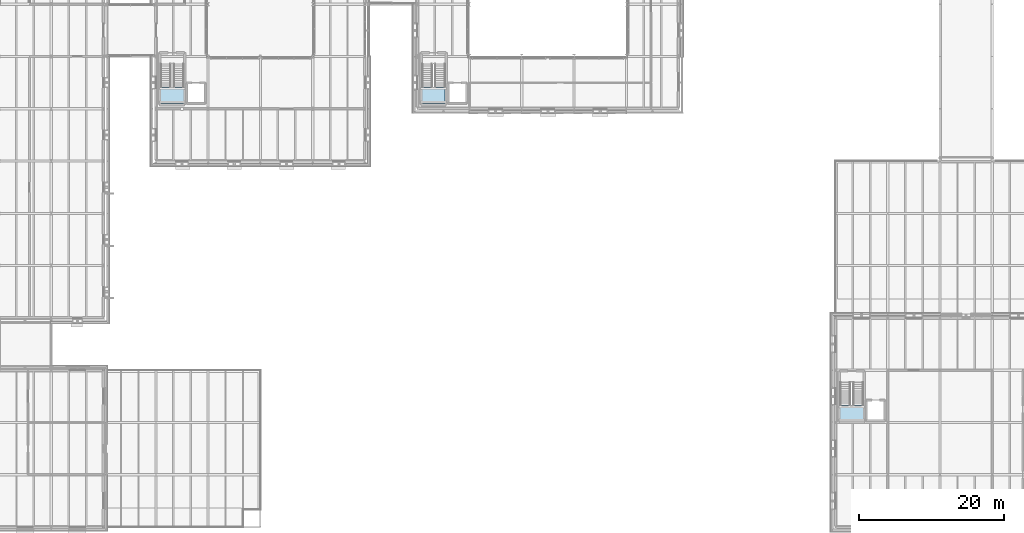
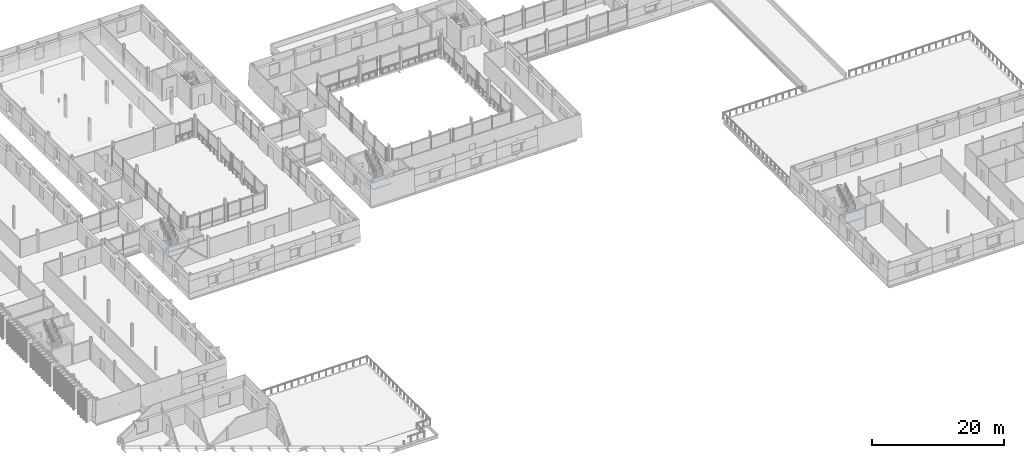
# One storey, part 48 of 115: 3 slabs, 3 elements without a shape of their own.
"""IFC4 building model written with IfcOpenShell, lengths in metres."""

from ifc_helpers import new_model, si_unit, direction, frame, origin, place, context, subcontext, project, spatial, polyline, outline, extrude, material, layer, layer_set, type_object, element, aggregate, save


model = new_model("IFC4")

# Units and contexts
model_context = context("Model", 3, precision=1e-05, world=origin(), true_north=direction((0.0, 1.0)))
body_context = subcontext(model_context, "Body", "Model", "MODEL_VIEW")
ifc_project = project(units=[si_unit("LENGTHUNIT", "METRE"), si_unit("AREAUNIT", "SQUARE_METRE"), si_unit("VOLUMEUNIT", "CUBIC_METRE"), si_unit("PLANEANGLEUNIT", "RADIAN"), si_unit("MASSUNIT", "GRAM", prefix="KILO")], contexts=[model_context])

# Site, building, storey
site_placement = place(None, origin())
site = spatial("IfcSite", under=ifc_project, at=site_placement, CompositionType="ELEMENT")
building_placement = place(site_placement, origin())
building = spatial("IfcBuilding", under=site, at=building_placement, Name="Narikvali Park Central Library", CompositionType="ELEMENT")
storey_placement = place(building_placement, frame((0.0, 0.0, 10.199951171875)))
storey = spatial("IfcBuildingStorey", under=building, at=storey_placement, Name="L02", CompositionType="ELEMENT", Elevation=10.199951171875)

# Stair, slab
ifc_material = material(Name="Concrete C35/45", Category="concrete")
stair_type = type_object("IfcStairType", Name="Core Enclosed Two-Flight Exit Stair", PredefinedType="HALF_TURN_STAIR", material=ifc_material)
stair_1_placement = place(storey_placement, origin())
stair_1 = element("IfcStair", 1, at=stair_1_placement, inside=storey, type_object=stair_type, Name="L02 Exit Stair ST-01", PredefinedType="HALF_TURN_STAIR")
ifc_layer = layer(ifc_material, 0.199951171875, Name="Concrete C35/45")
ifc_layer_set = layer_set([ifc_layer], Name="Concrete C35/45")
slab_type = type_object("IfcSlabType", Name="Stair Half-Landing Concrete Slab 200", PredefinedType="LANDING", material=ifc_layer_set)
slab_1_placement = place(storey_placement, frame((0.0, 0.0, 1.900146484375)))
slab_1 = element("IfcSlab", 2, at=slab_1_placement, type_object=slab_type, Name="ST-01 landing 1", PredefinedType="LANDING", context=body_context, shape_type="SweptSolid", body=[
    extrude(outline(polyline([(65.449951171875, 60.614990234375), (65.449951171875, 58.300048828125), (68.64990234375, 58.300048828125), (68.64990234375, 60.614990234375), (65.449951171875, 60.614990234375)])), origin(), (0.0, 0.0, 1.0), 0.199951171875),
])
aggregate(stair_1, [slab_1])

stair_2_placement = place(storey_placement, origin())
stair_2 = element("IfcStair", 3, at=stair_2_placement, inside=storey, type_object=stair_type, Name="L02 Exit Stair ST-07", PredefinedType="HALF_TURN_STAIR")
slab_2_placement = place(storey_placement, frame((0.0, 0.0, 1.900146484375)))
slab_2 = element("IfcSlab", 4, at=slab_2_placement, type_object=slab_type, Name="ST-07 landing 1", PredefinedType="LANDING", context=body_context, shape_type="SweptSolid", body=[
    extrude(outline(polyline([(29.449951171875, 60.614990234375), (29.449951171875, 58.300048828125), (32.64990234375, 58.300048828125), (32.64990234375, 60.614990234375), (29.449951171875, 60.614990234375)])), origin(), (0.0, 0.0, 1.0), 0.199951171875),
])
aggregate(stair_2, [slab_2])

stair_3_placement = place(storey_placement, origin())
stair_3 = element("IfcStair", 5, at=stair_3_placement, inside=storey, type_object=stair_type, Name="L02 Exit Stair ST-11", PredefinedType="HALF_TURN_STAIR")
slab_3_placement = place(storey_placement, frame((0.0, 0.0, 1.900146484375)))
slab_3 = element("IfcSlab", 6, at=slab_3_placement, type_object=slab_type, Name="ST-11 landing 1", PredefinedType="LANDING", context=body_context, shape_type="SweptSolid", body=[
    extrude(outline(polyline([(123.050048828125, 16.764892578125), (123.050048828125, 14.550048828125), (126.25, 14.550048828125), (126.25, 16.764892578125), (123.050048828125, 16.764892578125)])), origin(), (0.0, 0.0, 1.0), 0.199951171875),
])
aggregate(stair_3, [slab_3])

save(model, "model.ifc")
